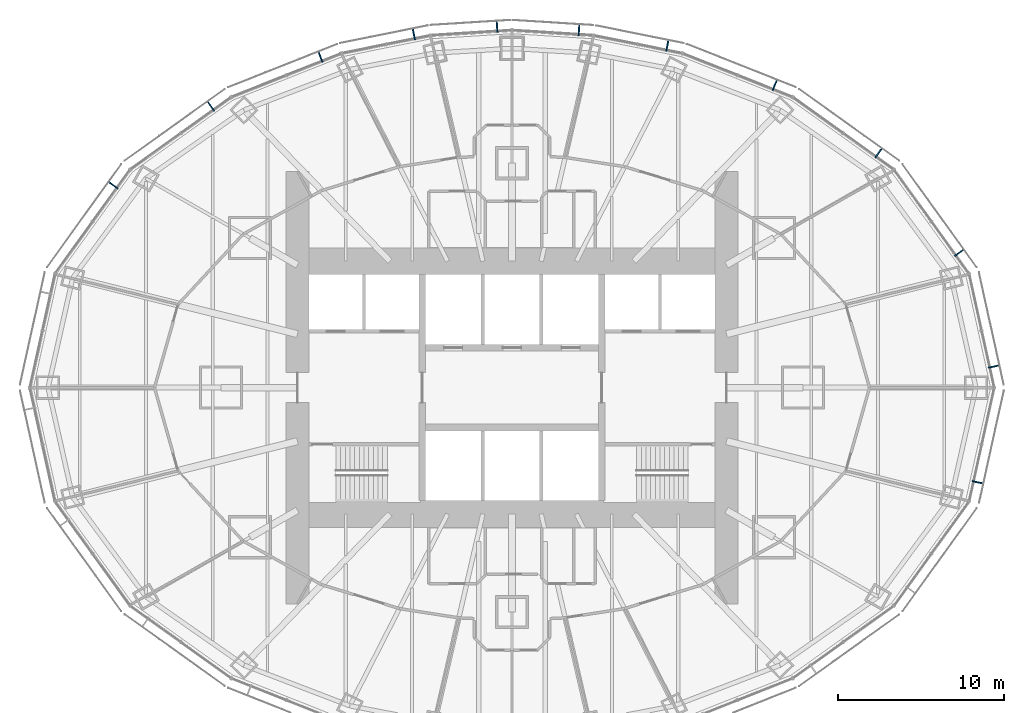
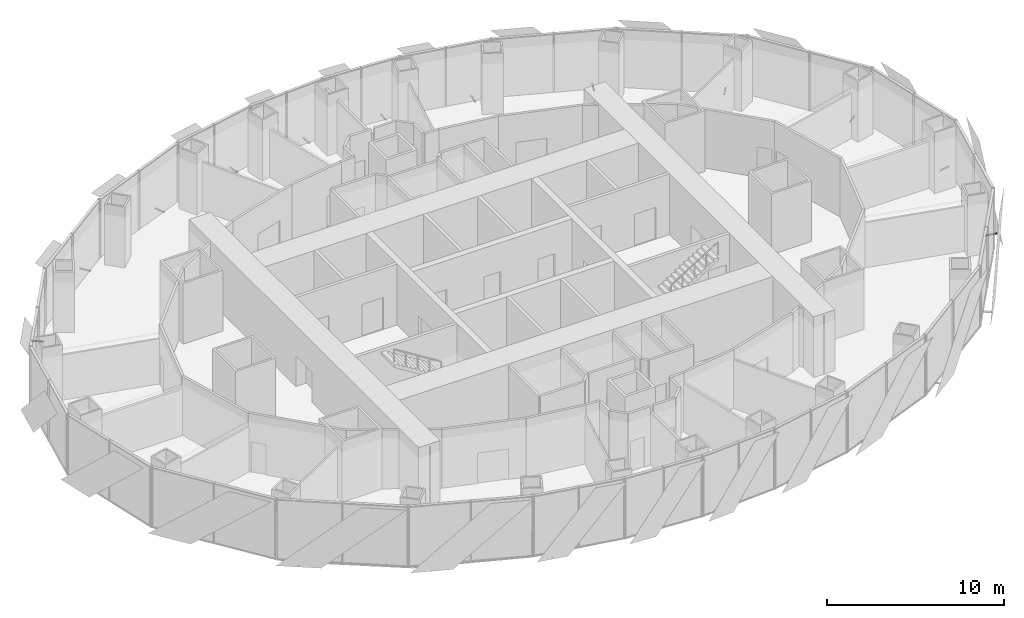
# One storey, part 14 of 17: 12 discrete accessories.
"""IFC4 building model written with IfcOpenShell, lengths in metres."""

from ifc_helpers import new_model, si_unit, direction, frame, origin, origin_2d, place, context, subcontext, project, spatial, rectangle, extrude, element, save


model = new_model("IFC4")

# Units and contexts
model_context = context("Model", 3, precision=1e-05, world=origin(), true_north=direction((0.0, 1.0)))
body_context = subcontext(model_context, "Body", "Model", "MODEL_VIEW")
ifc_project = project(units=[si_unit("LENGTHUNIT", "METRE"), si_unit("AREAUNIT", "SQUARE_METRE"), si_unit("VOLUMEUNIT", "CUBIC_METRE"), si_unit("PLANEANGLEUNIT", "RADIAN"), si_unit("MASSUNIT", "GRAM", prefix="KILO")], contexts=[model_context])

# Site, building, storey
site_placement = place(None, origin())
site = spatial("IfcSite", under=ifc_project, at=site_placement, CompositionType="ELEMENT")
building_placement = place(site_placement, origin())
building = spatial("IfcBuilding", under=site, at=building_placement, Name="Lantaw Convention Tower", CompositionType="ELEMENT")
storey_placement = place(building_placement, frame((0.0, 0.0, 159.39990234375)))
storey = spatial("IfcBuildingStorey", under=building, at=storey_placement, Name="L37", CompositionType="ELEMENT", Elevation=159.39990234375)

# Discrete accessories
for number, where, z_axis, x_axis, name in (
    (1, (28.98486328125, 1.269775390625, -0.114990234375), (0.0, 0.0, 1.0), (-0.215546166174, 0.9764936509, 0.0), "Screen bracket"),
    (2, (26.900146484375, 8.111572265625, -0.114990234375), (0.0, 0.0, 1.0), (-0.584512597221, 0.811384633629, 0.0), "Screen bracket"),
    (3, (22.044189453125, 14.10546875, -0.114990234375), (0.0, 0.0, 1.0), (-0.813208325995, 0.581972695693, 0.0), "Screen bracket"),
    (4, (15.802978515625, 18.18798828125, -0.114990234375), (0.0, 0.0, 1.0), (-0.929547687544, 0.368701907483, 0.0), "Screen bracket"),
    (5, (9.339599609375, 20.56005859375, -0.114990234375), (0.0, 0.0, 1.0), (-0.980301514912, 0.197506809659, 0.0), "Screen bracket"),
    (6, (4.027099609375, 21.505859375, -0.114990234375), (0.0, 0.0, 1.0), (-0.998022035978, 0.062865059466, 0.0), "Screen bracket"),
    (7, (-0.89794921875, 21.702880859375, -0.114990234375), (0.0, 0.0, 1.0), (-0.998022035978, -0.062865059466, 0.0), "Screen bracket"),
    (8, (-5.903076171875, 21.25244140625, -0.114990234375), (0.0, 0.0, 1.0), (-0.980301514912, -0.197506809659, 0.0), "Screen bracket"),
    (9, (-11.517822265625, 19.887939453125, -0.114990234375), (0.0, 0.0, 1.0), (-0.929547687544, -0.368701907483, 0.0), "Screen bracket"),
    (10, (-18.10791015625, 16.922607421875, -0.114990234375), (0.0, 0.0, 1.0), (-0.813208325995, -0.581972695693, 0.0), "Screen bracket"),
    (11, (-23.9765625, 12.169677734375, -0.114990234375), (0.0, 0.0, 1.0), (-0.584512597221, -0.811384633629, 0.0), "Screen bracket"),
    (12, (28.008056640625, -5.6953125, -0.114990234375), (0.0, 0.0, 1.0), (0.215546166174, 0.9764936509, 0.0), "Screen bracket"),
):
    element("IfcDiscreteAccessory", number, at=place(storey_placement, frame(where, z_axis=z_axis, x_axis=x_axis)), inside=storey, Name=name, PredefinedType="BRACKET", context=body_context, shape_type="SweptSolid", body=[
        extrude(rectangle(XDim=0.080078125, YDim=0.68798828125, at=origin_2d()), origin(), (0.0, 0.0, 1.0), 0.080078125),
    ])

save(model, "model.ifc")
